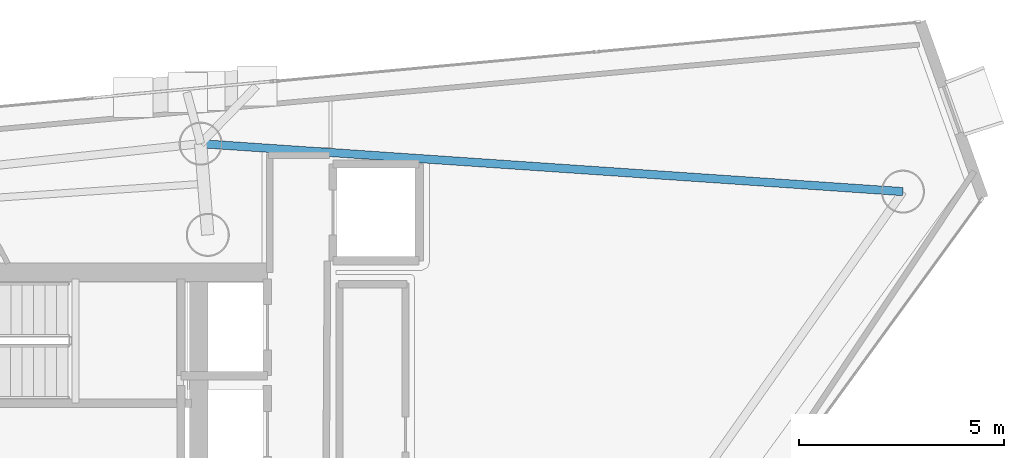
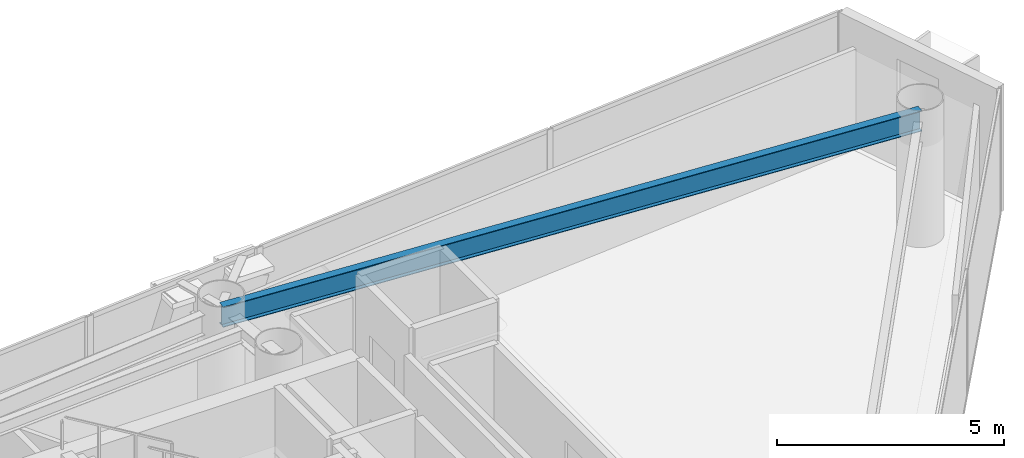
# One storey, part 12 of 21: 1 beam.
"""IFC4 building model written with IfcOpenShell, lengths in metres."""

from ifc_helpers import new_model, si_unit, direction, frame, origin, origin_2d, place, context, subcontext, project, spatial, i_section, extrude, material, material_profile, profile_set, type_object, element, save


model = new_model("IFC4")

# Units and contexts
model_context = context("Model", 3, precision=1e-05, world=origin(), true_north=direction((0.0, 1.0)))
body_context = subcontext(model_context, "Body", "Model", "MODEL_VIEW")
ifc_project = project(units=[si_unit("LENGTHUNIT", "METRE"), si_unit("AREAUNIT", "SQUARE_METRE"), si_unit("VOLUMEUNIT", "CUBIC_METRE"), si_unit("PLANEANGLEUNIT", "RADIAN"), si_unit("MASSUNIT", "GRAM", prefix="KILO")], contexts=[model_context])

# Site, building, storey
site_placement = place(None, origin())
site = spatial("IfcSite", under=ifc_project, at=site_placement, CompositionType="ELEMENT")
building_placement = place(site_placement, origin())
building = spatial("IfcBuilding", under=site, at=building_placement, Name="Qianvela Tower", CompositionType="ELEMENT")
storey_placement = place(building_placement, frame((0.0, 0.0, 272.300048828125)))
storey = spatial("IfcBuildingStorey", under=building, at=storey_placement, Name="L70", CompositionType="ELEMENT", Elevation=272.300048828125)

# Beam
ifc_material = material(Name="Steel Q355B", Category="steel")
ifc_material_profile = material_profile(ifc_material, i_section(OverallWidth=0.199951171875, OverallDepth=0.550048828125, WebThickness=0.010009765625, FlangeThickness=0.01611328125, at=origin_2d()), Name="HN550x200x10x16")
ifc_profile_set = profile_set([ifc_material_profile], Name="Steel Q355B")
beam_type = type_object("IfcBeamType", Name="BM-HN550-GIRD", PredefinedType="BEAM", material=ifc_profile_set)
beam_placement = place(storey_placement, frame((55.33203125, 34.60498046875, 3.123046875), z_axis=(-0.997677407473, 0.068116008525, 0.0), x_axis=(-0.068116008525, -0.997677407473, 0.0)))
element("IfcBeam", 1, at=beam_placement, inside=storey, type_object=beam_type, Name="L70 Perimeter Ring Spandrel Girder 1", PredefinedType="BEAM", context=body_context, shape_type="SweptSolid", body=[
    extrude(i_section(OverallWidth=0.199951171875, OverallDepth=0.550048828125, WebThickness=0.010009765625, FlangeThickness=0.01611328125, at=origin_2d()), origin(), (0.0, 0.0, 1.0), 17.146728515625),
])

save(model, "model.ifc")
